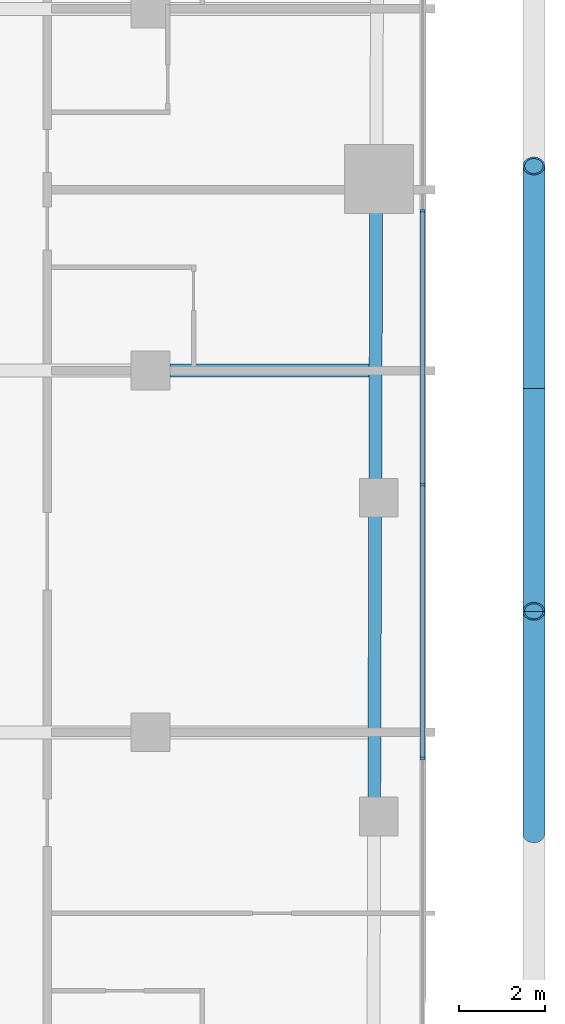
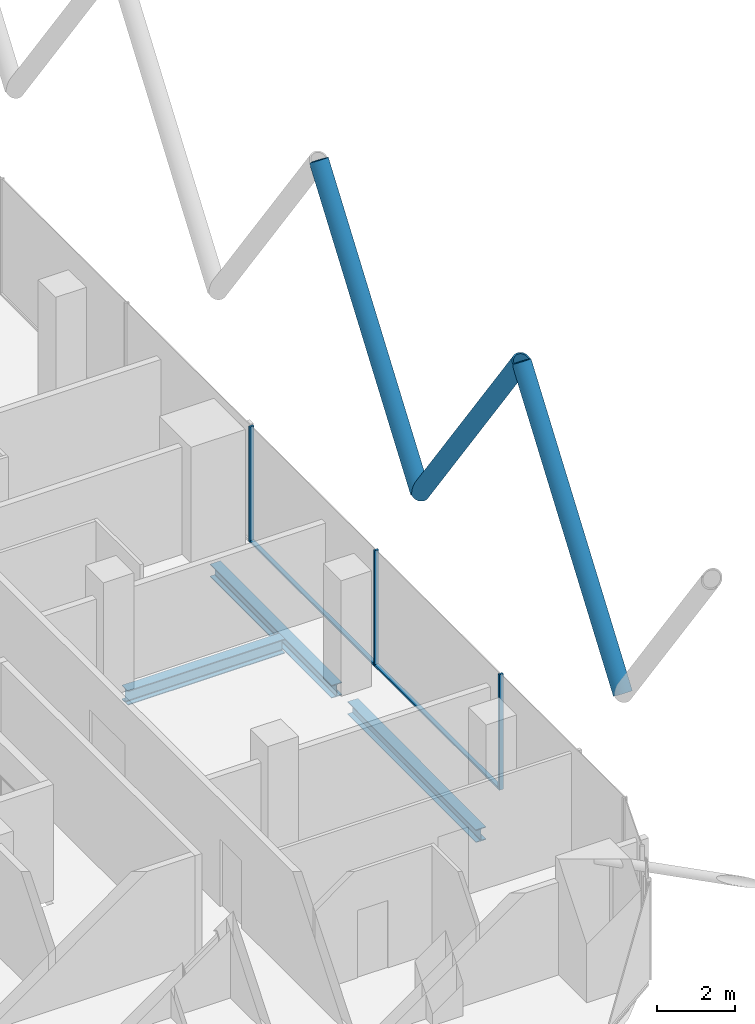
# One storey, part 8 of 33: 8 members, 3 beams, 1 element without a shape of its own.
"""IFC4 building model written with IfcOpenShell, lengths in metres."""

from ifc_helpers import new_model, si_unit, direction, frame, origin, origin_2d, place, context, subcontext, project, spatial, rectangle, hollow_circle, i_section, extrude, material, layer, layer_set, material_profile, profile_set, type_object, element, aggregate, save


model = new_model("IFC4")

# Units and contexts
model_context = context("Model", 3, precision=1e-05, world=origin(), true_north=direction((0.0, 1.0)))
body_context = subcontext(model_context, "Body", "Model", "MODEL_VIEW")
ifc_project = project(units=[si_unit("LENGTHUNIT", "METRE"), si_unit("AREAUNIT", "SQUARE_METRE"), si_unit("VOLUMEUNIT", "CUBIC_METRE"), si_unit("PLANEANGLEUNIT", "RADIAN"), si_unit("MASSUNIT", "GRAM", prefix="KILO")], contexts=[model_context])

# Site, building, storey
site_placement = place(None, origin())
site = spatial("IfcSite", under=ifc_project, at=site_placement, CompositionType="ELEMENT")
building_placement = place(site_placement, origin())
building = spatial("IfcBuilding", under=site, at=building_placement, Name="Marenta Gate Hotel Tower", CompositionType="ELEMENT")
storey_placement = place(building_placement, frame((0.0, 0.0, 122.89990234375)))
storey = spatial("IfcBuildingStorey", under=building, at=storey_placement, Name="L27", CompositionType="ELEMENT", Elevation=122.89990234375)

# Members
ifc_material_1 = material(Name="Steel S355J2W", Category="steel")
ifc_material_profile_1 = material_profile(ifc_material_1, hollow_circle(Radius=0.25390625, WallThickness=0.0400390625, at=origin_2d()), Name="CHS 508x40")
ifc_profile_set_1 = profile_set([ifc_material_profile_1], Name="Steel S355J2W")
member_type_1 = type_object("IfcMemberType", Name="Diagrid diagonal Z2 CHS 508x40", PredefinedType="BRACE", material=ifc_profile_set_1)
member_1_placement = place(storey_placement, frame((29.89990234375, -0.420166015625, 3.14013671875), z_axis=(0.0, 0.583279014058, 0.812271870595), x_axis=(-1.0, 0.0, 0.0)))
element("IfcMember", 1, at=member_1_placement, inside=storey, type_object=member_type_1, Name="L27-DG-6", PredefinedType="BRACE", context=body_context, shape_type="SweptSolid", body=[
    extrude(hollow_circle(Radius=0.25390625, WallThickness=0.0400390625, at=origin_2d()), origin(), (0.0, 0.0, 1.0), 8.864013671875),
])
for number, where, z_axis, x_axis, name in (
    (2, (29.89990234375, -0.420166015625, 3.14013671875), (0.0, -0.583260841117, 0.812284919975), (1.0, 0.0, 0.0), "L27-DG-7"),
    (3, (29.89990234375, -10.760009765625, 3.14013671875), (0.0, 0.583260841117, 0.812284919975), (-1.0, 0.0, 0.0), "L27-DG-8"),
):
    element("IfcMember", number, at=place(storey_placement, frame(where, z_axis=z_axis, x_axis=x_axis)), inside=storey, type_object=member_type_1, Name=name, PredefinedType="BRACE", context=body_context, shape_type="SweptSolid", body=[
        extrude(hollow_circle(Radius=0.25390625, WallThickness=0.0400390625, at=origin_2d()), origin(), (0.0, 0.0, 1.0), 8.86376953125),
    ])

# Beams
ifc_material_2 = material(Name="Steel S355", Category="steel")
ifc_material_profile_2 = material_profile(ifc_material_2, i_section(OverallWidth=0.300048828125, OverallDepth=0.39990234375, WebThickness=0.013427734375, FlangeThickness=0.02392578125, FilletRadius=0.027099609375, at=origin_2d()), Name="HEB 400")
ifc_profile_set_2 = profile_set([ifc_material_profile_2], Name="Steel S355")
beam_type_1 = type_object("IfcBeamType", Name="Edge beam HEB 400", PredefinedType="SPANDREL", material=ifc_profile_set_2)
beam_1_placement = place(storey_placement, frame((26.2392578125, 3.68994140625, -0.4599609375), z_axis=(-0.003330441525, -0.999994454064, 0.0), x_axis=(0.999994454064, -0.003330441525, 0.0)))
element("IfcBeam", 4, at=beam_1_placement, inside=storey, type_object=beam_type_1, Name="L27-EB-25", PredefinedType="SPANDREL", context=body_context, shape_type="SweptSolid", body=[
    extrude(i_section(OverallWidth=0.300048828125, OverallDepth=0.39990234375, WebThickness=0.013427734375, FlangeThickness=0.02392578125, FilletRadius=0.027099609375, at=origin_2d()), origin(), (0.0, 0.0, 1.0), 6.23095703125),
])
beam_2_placement = place(storey_placement, frame((26.2158203125, -3.36083984375, -0.4599609375), z_axis=(-0.00333875569, -0.99999442634, 0.0), x_axis=(0.99999442634, -0.00333875569, 0.0)))
element("IfcBeam", 5, at=beam_2_placement, inside=storey, type_object=beam_type_1, Name="L27-EB-26", PredefinedType="SPANDREL", context=body_context, shape_type="SweptSolid", body=[
    extrude(i_section(OverallWidth=0.300048828125, OverallDepth=0.39990234375, WebThickness=0.013427734375, FlangeThickness=0.02392578125, FilletRadius=0.027099609375, at=origin_2d()), origin(), (0.0, 0.0, 1.0), 6.5810546875),
])
ifc_material_3 = material(Name="Steel S355", Category="steel")
ifc_material_profile_3 = material_profile(ifc_material_3, i_section(OverallWidth=0.300048828125, OverallDepth=0.449951171875, WebThickness=0.013916015625, FlangeThickness=0.02587890625, FilletRadius=0.027099609375, at=origin_2d()), Name="HEB 450")
ifc_profile_set_3 = profile_set([ifc_material_profile_3], Name="Steel S355")
beam_type_2 = type_object("IfcBeamType", Name="Girder HEB 450", PredefinedType="BEAM", material=ifc_profile_set_3)
beam_3_placement = place(storey_placement, frame((21.449951171875, 0.0, -0.48486328125), z_axis=(1.0, 0.0, 0.0), x_axis=(0.0, 1.0, 0.0)))
element("IfcBeam", 6, at=beam_3_placement, inside=storey, type_object=beam_type_2, Name="L27-GD-19", PredefinedType="BEAM", context=body_context, shape_type="SweptSolid", body=[
    extrude(i_section(OverallWidth=0.300048828125, OverallDepth=0.449951171875, WebThickness=0.013916015625, FlangeThickness=0.02587890625, FilletRadius=0.027099609375, at=origin_2d()), origin(), (0.0, 0.0, 1.0), 4.626953125),
])

# Curtain wall, members
ifc_material_4 = material(Name="Tinted insulated glass in bronze anodised frame", Category="glass")
ifc_layer = layer(ifc_material_4, 0.1201171875)
ifc_layer_set = layer_set([ifc_layer], Name="Tinted insulated glass in bronze anodised frame")
curtain_wall_type = type_object("IfcCurtainWallType", Name="Tower unitised curtain wall CW1", PredefinedType="NOTDEFINED", material=ifc_layer_set)
curtain_wall_placement = place(storey_placement, origin())
curtain_wall = element("IfcCurtainWall", 7, at=curtain_wall_placement, inside=storey, type_object=curtain_wall_type, Name="CW1 run G19", PredefinedType="NOTDEFINED")
ifc_material_5 = material(Name="Bronze anodised aluminium", Category="aluminium")
ifc_material_profile_4 = material_profile(ifc_material_5, rectangle(XDim=0.1201171875, YDim=0.06005859375, at=origin_2d()), Name="Mullion CW1 60x120 bronze anodised aluminium")
ifc_profile_set_4 = profile_set([ifc_material_profile_4], Name="Bronze anodised aluminium")
member_type_2 = type_object("IfcMemberType", Name="Mullion CW1 60x120 bronze anodised aluminium", PredefinedType="MULLION", material=ifc_profile_set_4)
member_2_placement = place(storey_placement, frame((27.31396484375, -9.008056640625, 0.0), z_axis=(0.0, 0.0, 1.0), x_axis=(-1.0, 0.0, 0.0)))
member_2 = element("IfcMember", 8, at=member_2_placement, type_object=member_type_2, Name="CW1 mullion 2", PredefinedType="MULLION", context=body_context, shape_type="SweptSolid", body=[
    extrude(rectangle(XDim=0.1201171875, YDim=0.06005859375, at=origin_2d()), origin(), (0.0, 0.0, 1.0), 3.60009765625),
])
member_3_placement = place(storey_placement, frame((27.31396484375, -2.64794921875, 0.0), z_axis=(0.0, 0.0, 1.0), x_axis=(-1.0, 0.0, 0.0)))
member_3 = element("IfcMember", 9, at=member_3_placement, type_object=member_type_2, Name="CW1 mullion 3", PredefinedType="MULLION", context=body_context, shape_type="SweptSolid", body=[
    extrude(rectangle(XDim=0.1201171875, YDim=0.06005859375, at=origin_2d()), origin(), (0.0, 0.0, 1.0), 3.60009765625),
])
member_4_placement = place(storey_placement, frame((27.31396484375, 3.7119140625, 0.0), z_axis=(0.0, 0.0, 1.0), x_axis=(-1.0, 0.0, 0.0)))
member_4 = element("IfcMember", 10, at=member_4_placement, type_object=member_type_2, Name="CW1 mullion 4", PredefinedType="MULLION", context=body_context, shape_type="SweptSolid", body=[
    extrude(rectangle(XDim=0.1201171875, YDim=0.06005859375, at=origin_2d()), origin(), (0.0, 0.0, 1.0), 3.60009765625),
])
ifc_material_6 = material(Name="Bronze anodised aluminium", Category="aluminium")
ifc_material_profile_5 = material_profile(ifc_material_6, rectangle(XDim=0.1201171875, YDim=0.06005859375, at=origin_2d()), Name="Transom CW1 60x120 bronze anodised aluminium")
ifc_profile_set_5 = profile_set([ifc_material_profile_5], Name="Bronze anodised aluminium")
member_type_3 = type_object("IfcMemberType", Name="Transom CW1 60x120 bronze anodised aluminium", PredefinedType="USERDEFINED", material=ifc_profile_set_5)
member_5_placement = place(storey_placement, frame((27.31396484375, -8.97802734375, 0.030029296875), z_axis=(0.0, 1.0, 0.0), x_axis=(-1.0, 0.0, 0.0)))
member_5 = element("IfcMember", 11, at=member_5_placement, type_object=member_type_3, Name="CW1 transom 2.1", ObjectType="TRANSOM", PredefinedType="USERDEFINED", context=body_context, shape_type="SweptSolid", body=[
    extrude(rectangle(XDim=0.1201171875, YDim=0.06005859375, at=origin_2d()), origin(), (0.0, 0.0, 1.0), 6.300048828125),
])
member_6_placement = place(storey_placement, frame((27.31396484375, -2.617919921875, 0.030029296875), z_axis=(0.0, 1.0, 0.0), x_axis=(-1.0, 0.0, 0.0)))
member_6 = element("IfcMember", 12, at=member_6_placement, type_object=member_type_3, Name="CW1 transom 3.1", ObjectType="TRANSOM", PredefinedType="USERDEFINED", context=body_context, shape_type="SweptSolid", body=[
    extrude(rectangle(XDim=0.1201171875, YDim=0.06005859375, at=origin_2d()), origin(), (0.0, 0.0, 1.0), 6.2998046875),
])
aggregate(curtain_wall, [member_2, member_3, member_4, member_5, member_6])

save(model, "model.ifc")
